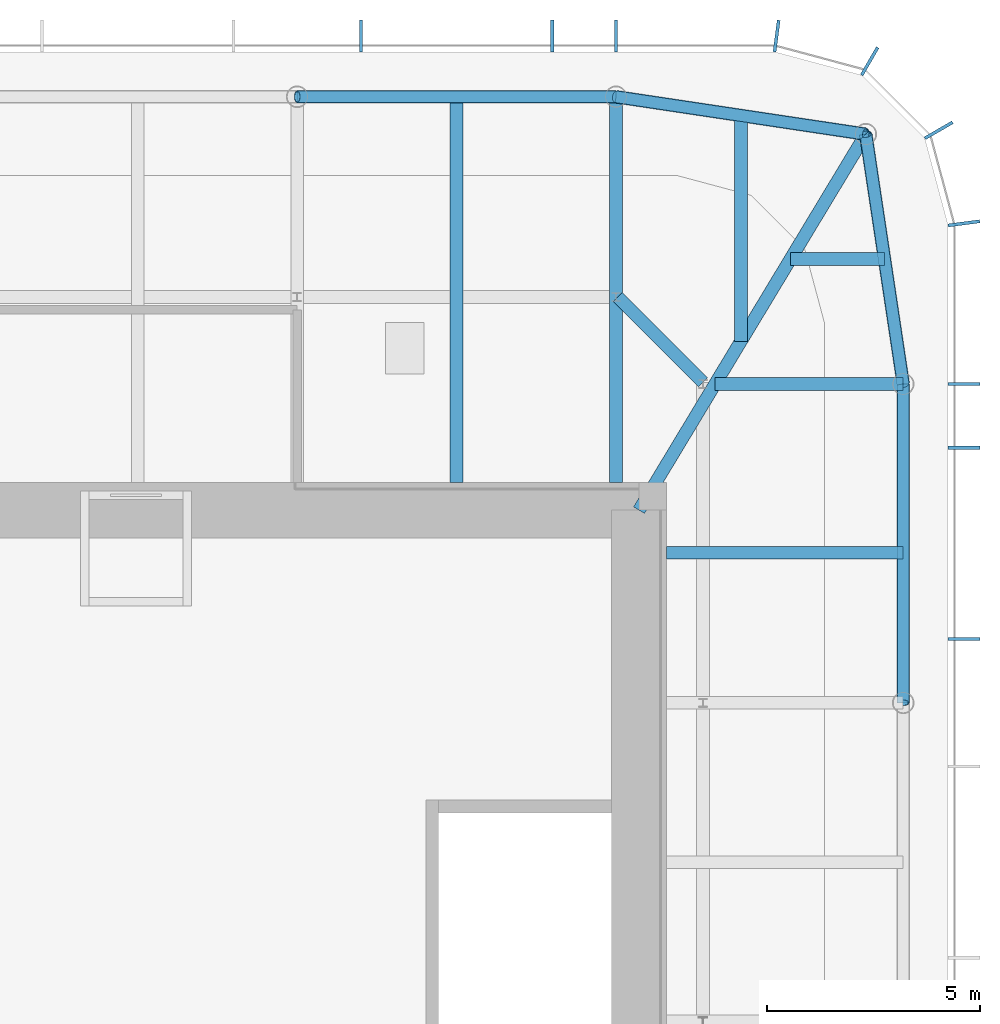
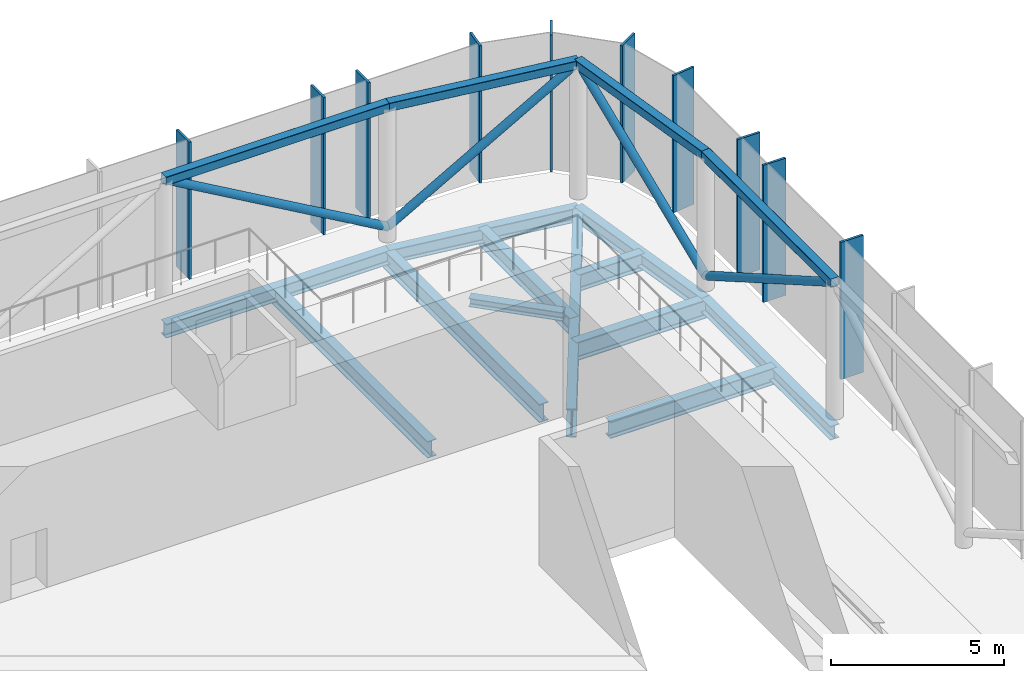
# One storey, part 4 of 12: 19 members, 11 beams, 3 elements without a shape of their own.
"""IFC4 building model written with IfcOpenShell, lengths in metres."""

from ifc_helpers import new_model, si_unit, direction, frame, origin, origin_2d, place, context, subcontext, project, spatial, rectangle, hollow_rectangle, hollow_circle, i_section, extrude, material, material_profile, profile_set, type_object, element, aggregate, save


model = new_model("IFC4")

# Units and contexts
model_context = context("Model", 3, precision=1e-05, world=origin(), true_north=direction((0.0, 1.0)))
body_context = subcontext(model_context, "Body", "Model", "MODEL_VIEW")
ifc_project = project(units=[si_unit("LENGTHUNIT", "METRE"), si_unit("AREAUNIT", "SQUARE_METRE"), si_unit("VOLUMEUNIT", "CUBIC_METRE"), si_unit("PLANEANGLEUNIT", "RADIAN"), si_unit("MASSUNIT", "GRAM", prefix="KILO")], contexts=[model_context])

# Site, building, storey
site_placement = place(None, origin())
site = spatial("IfcSite", under=ifc_project, at=site_placement, CompositionType="ELEMENT")
building_placement = place(site_placement, origin())
building = spatial("IfcBuilding", under=site, at=building_placement, Name="Khuree Lantern Residences", CompositionType="ELEMENT")
storey_placement = place(building_placement, frame((0.0, 0.0, 363.25)))
storey = spatial("IfcBuildingStorey", under=building, at=storey_placement, Name="RF", CompositionType="ELEMENT", Elevation=363.25)

# Beams
ifc_material_1 = material(Name="Steel S355", Category="steel")
ifc_material_profile_1 = material_profile(ifc_material_1, i_section(OverallWidth=0.300048828125, OverallDepth=0.590087890625, WebThickness=0.012939453125, FlangeThickness=0.02490234375, FilletRadius=0.027099609375, at=origin_2d()), Name="HE 600 A")
ifc_profile_set_1 = profile_set([ifc_material_profile_1], Name="Steel S355")
beam_type_1 = type_object("IfcBeamType", Name="B-RF SECONDARY BEAM HE 600 A", PredefinedType="BEAM", material=ifc_profile_set_1)
beam_1_placement = place(storey_placement, frame((11.219970703125, 21.699951171875, -0.64501953125), z_axis=(0.0, -1.0, 0.0), x_axis=(1.0, 0.0, 0.0)))
element("IfcBeam", 1, at=beam_1_placement, inside=storey, type_object=beam_type_1, Name="Secondary beam N4", PredefinedType="BEAM", context=body_context, shape_type="SweptSolid", body=[
    extrude(i_section(OverallWidth=0.300048828125, OverallDepth=0.590087890625, WebThickness=0.012939453125, FlangeThickness=0.02490234375, FilletRadius=0.027099609375, at=origin_2d()), origin(), (0.0, 0.0, 1.0), 9.050048828125),
])
beam_2_placement = place(storey_placement, frame((17.890625, 21.2607421875, -0.64501953125), z_axis=(0.0, -1.0, 0.0), x_axis=(1.0, 0.0, 0.0)))
element("IfcBeam", 2, at=beam_2_placement, inside=storey, type_object=beam_type_1, Name="Secondary beam N5", PredefinedType="BEAM", context=body_context, shape_type="SweptSolid", body=[
    extrude(i_section(OverallWidth=0.300048828125, OverallDepth=0.590087890625, WebThickness=0.012939453125, FlangeThickness=0.02490234375, FilletRadius=0.027099609375, at=origin_2d()), origin(), (0.0, 0.0, 1.0), 5.297607421875),
])
beam_3_placement = place(storey_placement, frame((21.2607421875, 17.890625, -0.64501953125), z_axis=(-1.0, 0.0, 0.0), x_axis=(0.0, -1.0, 0.0)))
element("IfcBeam", 3, at=beam_3_placement, inside=storey, type_object=beam_type_1, Name="Secondary beam E1", PredefinedType="BEAM", context=body_context, shape_type="SweptSolid", body=[
    extrude(i_section(OverallWidth=0.300048828125, OverallDepth=0.590087890625, WebThickness=0.012939453125, FlangeThickness=0.02490234375, FilletRadius=0.027099609375, at=origin_2d()), origin(), (0.0, 0.0, 1.0), 2.207275390625),
])
beam_4_placement = place(storey_placement, frame((21.699951171875, 11.0, -0.64501953125), z_axis=(-1.0, 0.0, 0.0), x_axis=(0.0, -1.0, 0.0)))
element("IfcBeam", 4, at=beam_4_placement, inside=storey, type_object=beam_type_1, Name="Secondary beam E2", PredefinedType="BEAM", context=body_context, shape_type="SweptSolid", body=[
    extrude(i_section(OverallWidth=0.300048828125, OverallDepth=0.590087890625, WebThickness=0.012939453125, FlangeThickness=0.02490234375, FilletRadius=0.027099609375, at=origin_2d()), origin(), (0.0, 0.0, 1.0), 5.550048828125),
])

# Members
ifc_material_profile_2 = material_profile(ifc_material_1, i_section(OverallWidth=0.300048828125, OverallDepth=0.300048828125, WebThickness=0.010986328125, FlangeThickness=0.01904296875, FilletRadius=0.027099609375, at=origin_2d()), Name="HE 300 B")
ifc_profile_set_2 = profile_set([ifc_material_profile_2], Name="Steel S355")
member_type_1 = type_object("IfcMemberType", Name="BM1 GANTRY TRACK HE 300 B", PredefinedType="USERDEFINED", material=ifc_profile_set_2)
member_1_placement = place(storey_placement, frame((17.0, 15.0, 0.64990234375), z_axis=(-0.707106781187, 0.707106781187, 0.0), x_axis=(-0.707106781187, -0.707106781187, 0.0)))
element("IfcMember", 5, at=member_1_placement, inside=storey, type_object=member_type_1, Name="Gantry track 3", ObjectType="GANTRY TRACK", PredefinedType="USERDEFINED", context=body_context, shape_type="SweptSolid", body=[
    extrude(i_section(OverallWidth=0.300048828125, OverallDepth=0.300048828125, WebThickness=0.010986328125, FlangeThickness=0.01904296875, FilletRadius=0.027099609375, at=origin_2d()), origin(), (0.0, 0.0, 1.0), 2.828369140625),
])
ifc_material_profile_3 = material_profile(ifc_material_1, hollow_rectangle(XDim=0.300048828125, YDim=0.300048828125, WallThickness=0.012451171875, InnerFilletRadius=0.012451171875, OuterFilletRadius=0.018798828125, at=origin_2d()), Name="SHS 300X300X12.5")
ifc_profile_set_3 = profile_set([ifc_material_profile_3], Name="Steel S355")
member_type_2 = type_object("IfcMemberType", Name="CF2 LANTERN FRAME RING SHS 300X300X12.5", PredefinedType="CHORD", material=ifc_profile_set_3)
member_2_placement = place(storey_placement, frame((7.47998046875, 21.699951171875, 4.699951171875), z_axis=(1.0, 0.0, 0.0), x_axis=(0.0, 1.0, 0.0)))
element("IfcMember", 6, at=member_2_placement, inside=storey, type_object=member_type_2, Name="Lantern frame ring N4", PredefinedType="CHORD", context=body_context, shape_type="SweptSolid", body=[
    extrude(hollow_rectangle(XDim=0.300048828125, YDim=0.300048828125, WallThickness=0.012451171875, InnerFilletRadius=0.012451171875, OuterFilletRadius=0.018798828125, at=origin_2d()), origin(), (0.0, 0.0, 1.0), 7.47998046875),
])
for number, where, z_axis, x_axis, name in (
    (7, (14.9599609375, 21.699951171875, 4.699951171875), (0.988949643299, -0.148251822985, 0.0), (0.148251822985, 0.988949643299, 0.0), "Lantern frame ring N5"),
    (8, (20.8212890625, 20.8212890625, 4.699951171875), (0.148251822985, -0.988949643299, 0.0), (0.988949643299, 0.148251822985, 0.0), "Lantern frame ring E1"),
):
    element("IfcMember", number, at=place(storey_placement, frame(where, z_axis=z_axis, x_axis=x_axis)), inside=storey, type_object=member_type_2, Name=name, PredefinedType="CHORD", context=body_context, shape_type="SweptSolid", body=[
        extrude(hollow_rectangle(XDim=0.300048828125, YDim=0.300048828125, WallThickness=0.012451171875, InnerFilletRadius=0.012451171875, OuterFilletRadius=0.018798828125, at=origin_2d()), origin(), (0.0, 0.0, 1.0), 5.9267578125),
    ])
member_3_placement = place(storey_placement, frame((21.699951171875, 14.9599609375, 4.699951171875), z_axis=(0.0, -1.0, 0.0), x_axis=(1.0, 0.0, 0.0)))
element("IfcMember", 9, at=member_3_placement, inside=storey, type_object=member_type_2, Name="Lantern frame ring E2", PredefinedType="CHORD", context=body_context, shape_type="SweptSolid", body=[
    extrude(hollow_rectangle(XDim=0.300048828125, YDim=0.300048828125, WallThickness=0.012451171875, InnerFilletRadius=0.012451171875, OuterFilletRadius=0.018798828125, at=origin_2d()), origin(), (0.0, 0.0, 1.0), 7.47998046875),
])
ifc_material_profile_4 = material_profile(ifc_material_1, hollow_circle(Radius=0.136474609375, WallThickness=0.012451171875, at=origin_2d()), Name="CHS 273X12.5")
ifc_profile_set_4 = profile_set([ifc_material_profile_4], Name="Steel S355")
member_type_3 = type_object("IfcMemberType", Name="CF3 LANTERN FRAME BRACE CHS 273X12.5", PredefinedType="BRACE", material=ifc_profile_set_4)
member_4_placement = place(storey_placement, frame((7.47998046875, 21.699951171875, 4.699951171875), z_axis=(0.866953376131, 0.0, -0.498389249096), x_axis=(0.0, 1.0, 0.0)))
element("IfcMember", 10, at=member_4_placement, inside=storey, type_object=member_type_3, Name="Lantern frame brace N4", PredefinedType="BRACE", context=body_context, shape_type="SweptSolid", body=[
    extrude(hollow_circle(Radius=0.136474609375, WallThickness=0.012451171875, at=origin_2d()), origin(), (0.0, 0.0, 1.0), 8.6279296875),
])
for number, where, z_axis, x_axis, name in (
    (11, (14.9599609375, 21.699951171875, 0.39990234375), (0.800464746609, -0.119996360507, 0.587245317479), (0.148251822985, 0.988949643299, 0.0), "Lantern frame brace N5"),
    (12, (20.8212890625, 20.8212890625, 4.699951171875), (0.119996360507, -0.800464746609, -0.587245317479), (0.988949643299, 0.148251822985, 0.0), "Lantern frame brace E1"),
):
    element("IfcMember", number, at=place(storey_placement, frame(where, z_axis=z_axis, x_axis=x_axis)), inside=storey, type_object=member_type_3, Name=name, PredefinedType="BRACE", context=body_context, shape_type="SweptSolid", body=[
        extrude(hollow_circle(Radius=0.136474609375, WallThickness=0.012451171875, at=origin_2d()), origin(), (0.0, 0.0, 1.0), 7.322509765625),
    ])
member_5_placement = place(storey_placement, frame((21.699951171875, 14.9599609375, 0.39990234375), z_axis=(0.0, -0.866953376131, 0.498389249096), x_axis=(1.0, 0.0, 0.0)))
element("IfcMember", 13, at=member_5_placement, inside=storey, type_object=member_type_3, Name="Lantern frame brace E2", PredefinedType="BRACE", context=body_context, shape_type="SweptSolid", body=[
    extrude(hollow_circle(Radius=0.136474609375, WallThickness=0.012451171875, at=origin_2d()), origin(), (0.0, 0.0, 1.0), 8.6279296875),
])

# Beams
ifc_material_profile_5 = material_profile(ifc_material_1, i_section(OverallWidth=0.300048828125, OverallDepth=0.489990234375, WebThickness=0.011962890625, FlangeThickness=0.02294921875, FilletRadius=0.027099609375, at=origin_2d()), Name="HE 500 A")
ifc_profile_set_5 = profile_set([ifc_material_profile_5], Name="Steel S355")
beam_type_2 = type_object("IfcBeamType", Name="E-RF SPANDREL BEAM HE 500 A", PredefinedType="SPANDREL", material=ifc_profile_set_5)
beam_5_placement = place(storey_placement, frame((7.47998046875, 21.699951171875, -0.594970703125), z_axis=(1.0, 0.0, 0.0), x_axis=(0.0, 1.0, 0.0)))
element("IfcBeam", 14, at=beam_5_placement, inside=storey, type_object=beam_type_2, Name="Spandrel beam N4", PredefinedType="SPANDREL", context=body_context, shape_type="SweptSolid", body=[
    extrude(i_section(OverallWidth=0.300048828125, OverallDepth=0.489990234375, WebThickness=0.011962890625, FlangeThickness=0.02294921875, FilletRadius=0.027099609375, at=origin_2d()), origin(), (0.0, 0.0, 1.0), 7.47998046875),
])
for number, where, z_axis, x_axis, name in (
    (15, (14.9599609375, 21.699951171875, -0.594970703125), (0.988949643299, -0.148251822985, 0.0), (0.148251822985, 0.988949643299, 0.0), "Spandrel beam N5"),
    (16, (20.8212890625, 20.8212890625, -0.594970703125), (0.148251822985, -0.988949643299, 0.0), (0.988949643299, 0.148251822985, 0.0), "Spandrel beam E1"),
):
    element("IfcBeam", number, at=place(storey_placement, frame(where, z_axis=z_axis, x_axis=x_axis)), inside=storey, type_object=beam_type_2, Name=name, PredefinedType="SPANDREL", context=body_context, shape_type="SweptSolid", body=[
        extrude(i_section(OverallWidth=0.300048828125, OverallDepth=0.489990234375, WebThickness=0.011962890625, FlangeThickness=0.02294921875, FilletRadius=0.027099609375, at=origin_2d()), origin(), (0.0, 0.0, 1.0), 5.9267578125),
    ])
beam_6_placement = place(storey_placement, frame((21.699951171875, 14.9599609375, -0.594970703125), z_axis=(0.0, -1.0, 0.0), x_axis=(1.0, 0.0, 0.0)))
element("IfcBeam", 17, at=beam_6_placement, inside=storey, type_object=beam_type_2, Name="Spandrel beam E2", PredefinedType="SPANDREL", context=body_context, shape_type="SweptSolid", body=[
    extrude(i_section(OverallWidth=0.300048828125, OverallDepth=0.489990234375, WebThickness=0.011962890625, FlangeThickness=0.02294921875, FilletRadius=0.027099609375, at=origin_2d()), origin(), (0.0, 0.0, 1.0), 7.47998046875),
])

# Curtain wall, members
ifc_material_2 = material(Name="Bronze anodised aluminium", Category="aluminium")
curtain_wall_type = type_object("IfcCurtainWallType", Name="CW-L LANTERN CROWN CURTAIN WALL", PredefinedType="USERDEFINED", material=ifc_material_2)
curtain_wall_1_placement = place(storey_placement, origin())
curtain_wall_1 = element("IfcCurtainWall", 18, at=curtain_wall_1_placement, inside=storey, type_object=curtain_wall_type, Name="RF EAST FACE CURTAIN WALL", ObjectType="Lantern curtain wall", PredefinedType="USERDEFINED")
ifc_material_profile_6 = material_profile(ifc_material_2, rectangle(XDim=0.074951171875, YDim=0.75, at=origin_2d()), Name="F4 75X750")
ifc_profile_set_6 = profile_set([ifc_material_profile_6], Name="Bronze anodised aluminium")
member_type_4 = type_object("IfcMemberType", Name="F4 BRONZE FIN MULLION LANTERN 75X750", PredefinedType="MULLION", material=ifc_profile_set_6)
member_6_placement = place(storey_placement, frame((23.125, 8.97607421875, 0.0), z_axis=(0.0, 0.0, 1.0), x_axis=(0.0, 1.0, 0.0)))
member_6 = element("IfcMember", 19, at=member_6_placement, type_object=member_type_4, Name="RF EAST FACE FIN MULLION 12", PredefinedType="MULLION", context=body_context, shape_type="SweptSolid", body=[
    extrude(rectangle(XDim=0.074951171875, YDim=0.75, at=origin_2d()), origin(), (0.0, 0.0, 1.0), 4.85009765625),
])
member_7_placement = place(storey_placement, frame((23.125, 13.464111328125, 0.0), z_axis=(0.0, 0.0, 1.0), x_axis=(0.0, 1.0, 0.0)))
member_7 = element("IfcMember", 20, at=member_7_placement, type_object=member_type_4, Name="RF EAST FACE FIN MULLION 13", PredefinedType="MULLION", context=body_context, shape_type="SweptSolid", body=[
    extrude(rectangle(XDim=0.074951171875, YDim=0.75, at=origin_2d()), origin(), (0.0, 0.0, 1.0), 4.85009765625),
])
member_8_placement = place(storey_placement, frame((23.125, 14.9599609375, 0.0), z_axis=(0.0, 0.0, 1.0), x_axis=(0.0, 1.0, 0.0)))
member_8 = element("IfcMember", 21, at=member_8_placement, type_object=member_type_4, Name="RF EAST FACE FIN MULLION 14", PredefinedType="MULLION", context=body_context, shape_type="SweptSolid", body=[
    extrude(rectangle(XDim=0.074951171875, YDim=0.75, at=origin_2d()), origin(), (0.0, 0.0, 1.0), 4.85009765625),
])
aggregate(curtain_wall_1, [member_6, member_7, member_8])

curtain_wall_2_placement = place(storey_placement, origin())
curtain_wall_2 = element("IfcCurtainWall", 22, at=curtain_wall_2_placement, inside=storey, type_object=curtain_wall_type, Name="RF NORTH-EAST CORNER CURTAIN WALL", ObjectType="Lantern curtain wall", PredefinedType="USERDEFINED")
member_9_placement = place(storey_placement, frame((23.12451171875, 18.7294921875, 0.0), z_axis=(0.0, 0.0, 1.0), x_axis=(-0.130526125236, 0.991444870192, 0.0)))
member_9 = element("IfcMember", 23, at=member_9_placement, type_object=member_type_4, Name="RF NORTH-EAST CORNER FIN MULLION 15", PredefinedType="MULLION", context=body_context, shape_type="SweptSolid", body=[
    extrude(rectangle(XDim=0.074951171875, YDim=0.75, at=origin_2d()), origin(), (0.0, 0.0, 1.0), 4.85009765625),
])
member_10_placement = place(storey_placement, frame((22.5322265625, 20.91259765625, 0.0), z_axis=(0.0, 0.0, 1.0), x_axis=(-0.49999994149, 0.866025437565, 0.0)))
member_10 = element("IfcMember", 24, at=member_10_placement, type_object=member_type_4, Name="RF NORTH-EAST CORNER FIN MULLION 16", PredefinedType="MULLION", context=body_context, shape_type="SweptSolid", body=[
    extrude(rectangle(XDim=0.074951171875, YDim=0.75, at=origin_2d()), origin(), (0.0, 0.0, 1.0), 4.85009765625),
])
member_11_placement = place(storey_placement, frame((20.91259765625, 22.5322265625, 0.0), z_axis=(0.0, 0.0, 1.0), x_axis=(-0.866025437565, 0.49999994149, 0.0)))
member_11 = element("IfcMember", 25, at=member_11_placement, type_object=member_type_4, Name="RF NORTH-EAST CORNER FIN MULLION 17", PredefinedType="MULLION", context=body_context, shape_type="SweptSolid", body=[
    extrude(rectangle(XDim=0.074951171875, YDim=0.75, at=origin_2d()), origin(), (0.0, 0.0, 1.0), 4.85009765625),
])
aggregate(curtain_wall_2, [member_9, member_10, member_11])

curtain_wall_3_placement = place(storey_placement, origin())
curtain_wall_3 = element("IfcCurtainWall", 26, at=curtain_wall_3_placement, inside=storey, type_object=curtain_wall_type, Name="RF NORTH FACE CURTAIN WALL", ObjectType="Lantern curtain wall", PredefinedType="USERDEFINED")
member_12_placement = place(storey_placement, frame((18.7294921875, 23.12451171875, 0.0), z_axis=(0.0, 0.0, 1.0), x_axis=(-0.991444870192, 0.130526125236, 0.0)))
member_12 = element("IfcMember", 27, at=member_12_placement, type_object=member_type_4, Name="RF NORTH FACE FIN MULLION 18", PredefinedType="MULLION", context=body_context, shape_type="SweptSolid", body=[
    extrude(rectangle(XDim=0.074951171875, YDim=0.75, at=origin_2d()), origin(), (0.0, 0.0, 1.0), 4.85009765625),
])
member_13_placement = place(storey_placement, frame((14.9599609375, 23.125, 0.0), z_axis=(0.0, 0.0, 1.0), x_axis=(-1.0, 0.0, 0.0)))
member_13 = element("IfcMember", 28, at=member_13_placement, type_object=member_type_4, Name="RF NORTH FACE FIN MULLION 19", PredefinedType="MULLION", context=body_context, shape_type="SweptSolid", body=[
    extrude(rectangle(XDim=0.074951171875, YDim=0.75, at=origin_2d()), origin(), (0.0, 0.0, 1.0), 4.85009765625),
])
member_14_placement = place(storey_placement, frame((13.464111328125, 23.125, 0.0), z_axis=(0.0, 0.0, 1.0), x_axis=(-1.0, 0.0, 0.0)))
member_14 = element("IfcMember", 29, at=member_14_placement, type_object=member_type_4, Name="RF NORTH FACE FIN MULLION 20", PredefinedType="MULLION", context=body_context, shape_type="SweptSolid", body=[
    extrude(rectangle(XDim=0.074951171875, YDim=0.75, at=origin_2d()), origin(), (0.0, 0.0, 1.0), 4.85009765625),
])
member_15_placement = place(storey_placement, frame((8.97607421875, 23.125, 0.0), z_axis=(0.0, 0.0, 1.0), x_axis=(-1.0, 0.0, 0.0)))
member_15 = element("IfcMember", 30, at=member_15_placement, type_object=member_type_4, Name="RF NORTH FACE FIN MULLION 21", PredefinedType="MULLION", context=body_context, shape_type="SweptSolid", body=[
    extrude(rectangle(XDim=0.074951171875, YDim=0.75, at=origin_2d()), origin(), (0.0, 0.0, 1.0), 4.85009765625),
])
aggregate(curtain_wall_3, [member_12, member_13, member_14, member_15])

# Beams
ifc_material_profile_7 = material_profile(ifc_material_1, i_section(OverallWidth=0.300048828125, OverallDepth=0.64990234375, WebThickness=0.01611328125, FlangeThickness=0.031005859375, FilletRadius=0.027099609375, at=origin_2d()), Name="HE 650 B")
ifc_profile_set_7 = profile_set([ifc_material_profile_7], Name="Steel S355")
beam_type_3 = type_object("IfcBeamType", Name="G-RF GIRDER HE 650 B", PredefinedType="BEAM", material=ifc_profile_set_7)
beam_7_placement = place(storey_placement, frame((14.9599609375, 21.699951171875, -0.675048828125), z_axis=(0.0, -1.0, 0.0), x_axis=(1.0, 0.0, 0.0)))
element("IfcBeam", 31, at=beam_7_placement, inside=storey, type_object=beam_type_3, Name="Girder N5", PredefinedType="BEAM", context=body_context, shape_type="SweptSolid", body=[
    extrude(i_section(OverallWidth=0.300048828125, OverallDepth=0.64990234375, WebThickness=0.01611328125, FlangeThickness=0.031005859375, FilletRadius=0.027099609375, at=origin_2d()), origin(), (0.0, 0.0, 1.0), 9.050048828125),
])
beam_8_placement = place(storey_placement, frame((21.699951171875, 14.9599609375, -0.675048828125), z_axis=(-1.0, 0.0, 0.0), x_axis=(0.0, -1.0, 0.0)))
element("IfcBeam", 32, at=beam_8_placement, inside=storey, type_object=beam_type_3, Name="Girder E1", PredefinedType="BEAM", context=body_context, shape_type="SweptSolid", body=[
    extrude(i_section(OverallWidth=0.300048828125, OverallDepth=0.64990234375, WebThickness=0.01611328125, FlangeThickness=0.031005859375, FilletRadius=0.027099609375, at=origin_2d()), origin(), (0.0, 0.0, 1.0), 4.414306640625),
])
ifc_material_profile_8 = material_profile(ifc_material_1, i_section(OverallWidth=0.300048828125, OverallDepth=1.0, WebThickness=0.01904296875, FlangeThickness=0.035888671875, FilletRadius=0.030029296875, at=origin_2d()), Name="HE 1000 B")
ifc_profile_set_8 = profile_set([ifc_material_profile_8], Name="Steel S355")
beam_type_4 = type_object("IfcBeamType", Name="GD-RF CORNER GIRDER HE 1000 B", PredefinedType="BEAM", material=ifc_profile_set_8)
beam_9_placement = place(storey_placement, frame((20.8212890625, 20.8212890625, -0.85009765625), z_axis=(-0.516529577604, -0.856269347495, 0.0), x_axis=(0.856269347495, -0.516529577604, 0.0)))
element("IfcBeam", 33, at=beam_9_placement, inside=storey, type_object=beam_type_4, Name="Corner girder NE", PredefinedType="BEAM", context=body_context, shape_type="SweptSolid", body=[
    extrude(i_section(OverallWidth=0.300048828125, OverallDepth=1.0, WebThickness=0.01904296875, FlangeThickness=0.035888671875, FilletRadius=0.030029296875, at=origin_2d()), origin(), (0.0, 0.0, 1.0), 10.302001953125),
])

save(model, "model.ifc")
